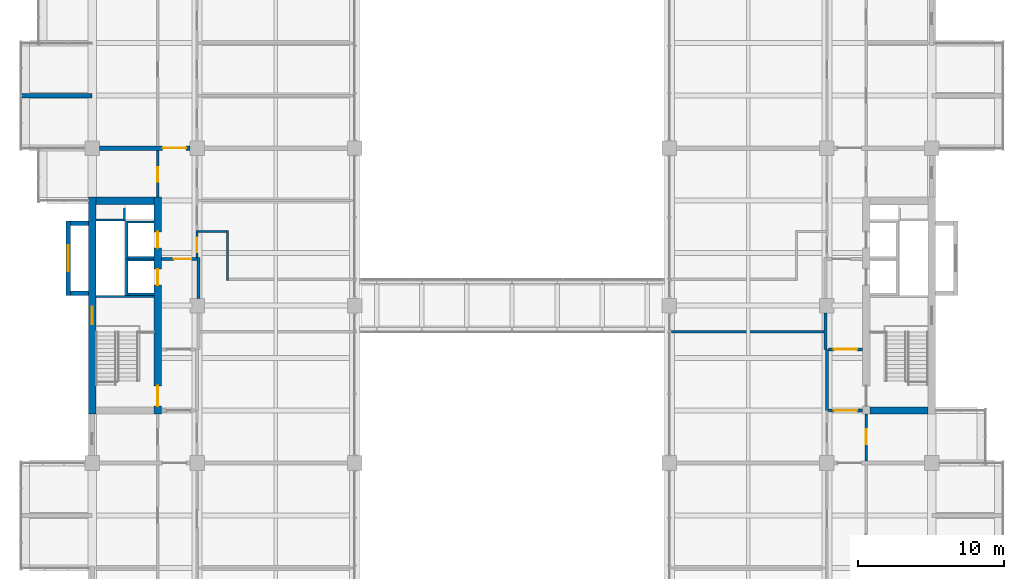
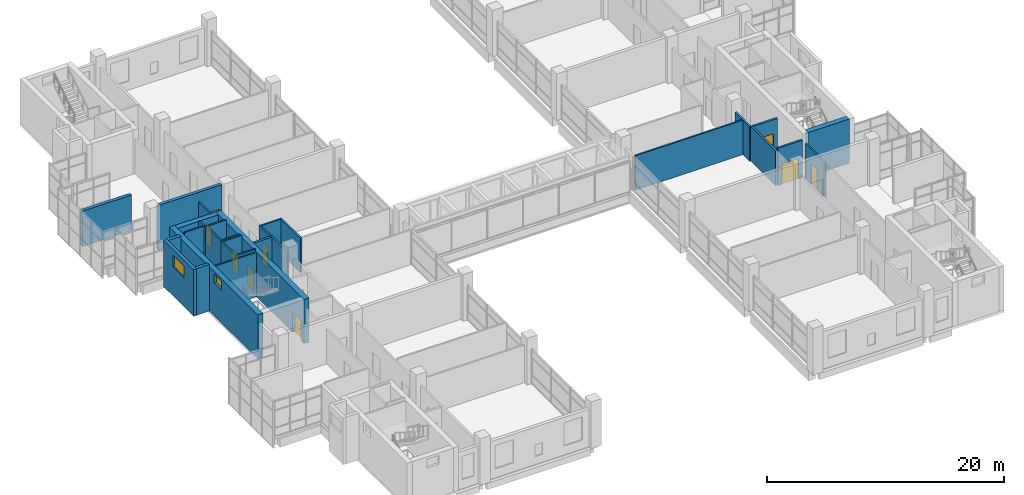
# One storey, part 28 of 35: 30 walls, 10 doors, 2 windows, 12 openings.
"""IFC4 building model written with IfcOpenShell, lengths in metres."""

import ifcopenshell
import ifcopenshell.guid

model = None  # the IFC model being written
_history = None  # IfcOwnerHistory: only IFC2X3 demands one
_inside = {}  # id of a spatial element -> (the spatial element, [elements in it])
_under = {}  # id of a project, library or spatial element -> (it, [spatial elements below it])
_declared = {}  # id of a project -> (the project, [libraries it declares])
_typed = {}  # id of a type object -> (the type object, [elements of that type])
_made_of = {}  # id of a material, layer set ... -> (it, [elements and type objects made of it])


def new_model(schema):
    """Start an empty IFC model of exactly this schema.

    Asked for "IFC4X3", IfcOpenShell would pick the latest addendum, in which some entities
    have other attributes; the version numbers below select the first issue.
    IFC2X3 requires an IfcOwnerHistory on every rooted entity: one is made here for all.
    """
    global model, _history
    if schema == "IFC4X3":
        model = ifcopenshell.file(schema_version=(4, 3, 0, 0))
    else:
        model = ifcopenshell.file(schema=schema)
    _inside.clear()
    _under.clear()
    _declared.clear()
    _typed.clear()
    _made_of.clear()
    _history = None
    if model.schema == "IFC2X3":
        org = make("IfcOrganization", Name="unknown")
        user = make(
            "IfcPersonAndOrganization",
            ThePerson=make("IfcPerson", FamilyName="unknown"),
            TheOrganization=org,
        )
        app = make(
            "IfcApplication",
            ApplicationDeveloper=org,
            Version="unknown",
            ApplicationFullName="unknown",
            ApplicationIdentifier="unknown",
        )
        _history = make(
            "IfcOwnerHistory",
            OwningUser=user,
            OwningApplication=app,
            ChangeAction="ADDED",
            CreationDate=0,
        )
    return model


def make(cls, **values):
    """One entity of the class cls with the attributes given. An attribute that is None is left unset."""
    return model.create_entity(
        cls, **{name: value for name, value in values.items() if value is not None}
    )


def rooted(cls, **values):
    """An entity with a GlobalId (a new one), such as an element, a storey or a relation."""
    return make(cls, GlobalId=ifcopenshell.guid.new(), OwnerHistory=_history, **values)


def si_unit(unit_type, name, prefix=None):
    """IfcSIUnit, for example si_unit("LENGTHUNIT", "METRE", prefix="MILLI")."""
    return make("IfcSIUnit", UnitType=unit_type, Prefix=prefix, Name=name)


def assignment(units):
    """IfcUnitAssignment: the units of a project."""
    return None if units is None else make("IfcUnitAssignment", Units=units)


def point(xyz):
    """IfcCartesianPoint."""
    return None if xyz is None else make("IfcCartesianPoint", Coordinates=xyz)


def direction(xyz):
    """IfcDirection."""
    return None if xyz is None else make("IfcDirection", DirectionRatios=xyz)


def frame(location, z_axis=None, x_axis=None):
    """IfcAxis2Placement3D, a coordinate frame: its origin and axes. An axis left out is left unset."""
    return make(
        "IfcAxis2Placement3D",
        Location=point(location),
        Axis=direction(z_axis),
        RefDirection=direction(x_axis),
    )


def frame_2d(location, x_axis=None):
    """IfcAxis2Placement2D, a coordinate frame in the plane: its origin and x axis."""
    return make(
        "IfcAxis2Placement2D", Location=point(location), RefDirection=direction(x_axis)
    )


def origin():
    """The frame at (0, 0, 0) with its axes left unset."""
    return frame((0.0, 0.0, 0.0))


def place(relative_to, where):
    """IfcLocalPlacement: puts the frame where relative to a parent placement (None: the world)."""
    return make(
        "IfcLocalPlacement", PlacementRelTo=relative_to, RelativePlacement=where
    )


def context(
    kind, dimensions, precision=None, world=None, true_north=None, identifier=None
):
    """IfcGeometricRepresentationContext, for example the 3D "Model" context."""
    return make(
        "IfcGeometricRepresentationContext",
        ContextIdentifier=identifier,
        ContextType=kind,
        CoordinateSpaceDimension=dimensions,
        Precision=precision,
        WorldCoordinateSystem=world,
        TrueNorth=true_north,
    )


def subcontext(parent, identifier, kind, view, scale=None):
    """IfcGeometricRepresentationSubContext, for example "Body" below "Model"."""
    return make(
        "IfcGeometricRepresentationSubContext",
        ContextIdentifier=identifier,
        ContextType=kind,
        ParentContext=parent,
        TargetScale=scale,
        TargetView=view,
    )


def project(units=None, contexts=None):
    """IfcProject with its units and contexts."""
    return rooted(
        "IfcProject",
        Name="project",
        RepresentationContexts=contexts,
        UnitsInContext=assignment(units),
    )


def spatial(cls, under=None, at=None, **own):
    """A site, building, storey or space (cls), placed at a placement, below another one or the project."""
    s = rooted(cls, ObjectPlacement=at, **own)
    if under is not None:
        _under.setdefault(under.id(), (under, []))[1].append(s)
    return s


def profile(cls, at=None, kind="AREA", **sizes):
    """A parametric profile (cls). Its sizes go by their IFC names, for example OverallWidth=200.0."""
    return make(cls, ProfileType=kind, Position=at, **sizes)


def rectangle(**sizes):
    """IfcRectangleProfileDef."""
    return profile("IfcRectangleProfileDef", **sizes)


def extrude(swept, where, along, depth):
    """IfcExtrudedAreaSolid: the profile swept, set in the frame where, extruded along a direction by depth."""
    return make(
        "IfcExtrudedAreaSolid",
        SweptArea=swept,
        Position=where,
        ExtrudedDirection=direction(along),
        Depth=depth,
    )


def shape(context_of_items, identifier, shape_type, items):
    """IfcShapeRepresentation: the items that make up one representation, for example the "Body"."""
    return make(
        "IfcShapeRepresentation",
        ContextOfItems=context_of_items,
        RepresentationIdentifier=identifier,
        RepresentationType=shape_type,
        Items=items,
    )


def material(Name=None, Category=None):
    """IfcMaterial."""
    return make("IfcMaterial", Name=Name, Category=Category)


def layer(
    of_material, thickness, ventilated=None, Name=None, Category=None, Priority=None
):
    """IfcMaterialLayer: one layer of a wall or slab, of a material (None: an air gap)."""
    return make(
        "IfcMaterialLayer",
        Material=of_material,
        LayerThickness=thickness,
        IsVentilated=ventilated,
        Name=Name,
        Category=Category,
        Priority=Priority,
    )


def layer_set(layers, Name=None):
    """IfcMaterialLayerSet."""
    return make("IfcMaterialLayerSet", MaterialLayers=layers, LayerSetName=Name)


def made_of(thing, what):
    """Note that an element or type object is made of a material, layer set ...; save() writes the relation."""
    if what is not None:
        _made_of.setdefault(what.id(), (what, []))[1].append(thing)
    return thing


def type_object(cls, material=None, **own):
    """A type object (cls), such as IfcWallType, which elements share."""
    return made_of(rooted(cls, **own), material)


def element(
    cls,
    number,
    at=None,
    inside=None,
    cuts=None,
    type_object=None,
    material=None,
    context=None,
    identifier="Body",
    shape_type=None,
    held_by="IfcProductDefinitionShape",
    body=None,
    shapes=None,
    **own,
):
    """One element of the class cls, such as IfcWall. Its Tag is "e" and its number.

    at: its placement. inside: the storey or other place that contains it. cuts: it is an
    opening in that element (IfcRelVoidsElement). A single representation is given by context,
    identifier, shape_type and body (its items); several are given by shapes. held_by: the class
    of the entity that holds the representations. save() writes the other relations.
    """
    e = rooted(cls, Tag="e%d" % number, ObjectPlacement=at, **own)
    if body is not None:
        shapes = [shape(context, identifier, shape_type, body)]
    if shapes is not None:
        e.Representation = make(held_by, Representations=shapes)
    if inside is not None:
        _inside.setdefault(inside.id(), (inside, []))[1].append(e)
    if cuts is not None:
        rooted(
            "IfcRelVoidsElement", RelatingBuildingElement=cuts, RelatedOpeningElement=e
        )
    if type_object is not None:
        _typed.setdefault(type_object.id(), (type_object, []))[1].append(e)
    return made_of(e, material)


def fill(opening, filler):
    """IfcRelFillsElement: the door or window that sits in an opening."""
    return rooted(
        "IfcRelFillsElement",
        RelatingOpeningElement=opening,
        RelatedBuildingElement=filler,
    )


def aggregate(whole, parts):
    """IfcRelAggregates: a whole, such as a stair, and the parts it consists of."""
    return rooted("IfcRelAggregates", RelatingObject=whole, RelatedObjects=parts)


def save(model, path):
    """Write the relations noted so far, then the file.

    IfcRelAggregates (storeys below a building ...), IfcRelContainedInSpatialStructure (elements
    in a storey), IfcRelDefinesByType, IfcRelAssociatesMaterial and IfcRelDeclares: one each for
    every whole, place, type object, material and project.
    """
    for whole, parts in _under.values():
        aggregate(whole, parts)
    for where, things in _inside.values():
        rooted(
            "IfcRelContainedInSpatialStructure",
            RelatedElements=things,
            RelatingStructure=where,
        )
    for kind, things in _typed.values():
        rooted("IfcRelDefinesByType", RelatedObjects=things, RelatingType=kind)
    for what, things in _made_of.values():
        rooted("IfcRelAssociatesMaterial", RelatedObjects=things, RelatingMaterial=what)
    for by, libraries in _declared.values():
        rooted("IfcRelDeclares", RelatingContext=by, RelatedDefinitions=libraries)
    model.write(path)


model = new_model("IFC4")

# Units and contexts
model_context = context("Model", 3, precision=1e-05, world=origin(), true_north=direction((0.0, 1.0)))
body_context = subcontext(model_context, "Body", "Model", "MODEL_VIEW")
ifc_project = project(units=[si_unit("LENGTHUNIT", "METRE"), si_unit("AREAUNIT", "SQUARE_METRE"), si_unit("VOLUMEUNIT", "CUBIC_METRE"), si_unit("PLANEANGLEUNIT", "RADIAN"), si_unit("MASSUNIT", "GRAM", prefix="KILO")], contexts=[model_context])

# Site, building, storey
site_placement = place(None, origin())
site = spatial("IfcSite", under=ifc_project, at=site_placement, CompositionType="ELEMENT")
building_placement = place(site_placement, origin())
building = spatial("IfcBuilding", under=site, at=building_placement, Name="Basin Gate Institute", CompositionType="ELEMENT")
storey_placement = place(building_placement, frame((0.0, 0.0, 31.800048828125)))
storey = spatial("IfcBuildingStorey", under=building, at=storey_placement, Name="L06", CompositionType="ELEMENT", Elevation=31.800048828125)

# Wall
ifc_material_1 = material(Name="Aluminium-faced insulated panel wall", Category="aluminium")
ifc_layer_1 = layer(ifc_material_1, 0.300048828125)
ifc_layer_set_1 = layer_set([ifc_layer_1], Name="Capsule side wall EW2 EI 120")
wall_type_1 = type_object("IfcWallType", Name="Capsule side wall EW2 EI 120", PredefinedType="STANDARD", material=ifc_layer_set_1)
wall_1_placement = place(storey_placement, frame((56.39990234375, 81.89990234375, 0.0), z_axis=(0.0, 0.0, 1.0), x_axis=(1.0, 0.0, 0.0)))
element("IfcWall", 1, at=wall_1_placement, inside=storey, type_object=wall_type_1, material=ifc_layer_set_1, Name="Capsule side wall W wing L06 line 14", PredefinedType="STANDARD", context=body_context, shape_type="SweptSolid", body=[
    extrude(rectangle(XDim=4.800048828125, YDim=0.300048828125, at=frame_2d((2.39990234375, 0.0))), origin(), (0.0, 0.0, 1.0), 3.64990234375),
])

# Wall, opening, door
ifc_material_2 = material(Name="Fire-rated masonry", Category="masonry")
ifc_layer_2 = layer(ifc_material_2, 0.199951171875)
ifc_layer_set_2 = layer_set([ifc_layer_2], Name="Enclosure wall PW2 200 EI 60")
wall_type_2 = type_object("IfcWallType", Name="Enclosure wall PW2 200 EI 60", PredefinedType="PARTITIONING", material=ifc_layer_set_2)
wall_2_placement = place(storey_placement, frame((65.949951171875, 70.699951171875, 0.0), z_axis=(0.0, 0.0, 1.0), x_axis=(1.0, 0.0, 0.0)))
wall_2 = element("IfcWall", 2, at=wall_2_placement, inside=storey, type_object=wall_type_2, material=ifc_layer_set_2, Name="Emergency lift lobby wall PW2 L06", PredefinedType="PARTITIONING", context=body_context, shape_type="SweptSolid", body=[
    extrude(rectangle(XDim=2.449951171875, YDim=0.199951171875, at=frame_2d((1.22509765625, 0.0))), origin(), (0.0, 0.0, 1.0), 3.550048828125),
])
opening_1_placement = place(wall_2_placement, frame((0.85009765625, 0.0, 0.0)))
opening_1 = element("IfcOpeningElement", 3, at=opening_1_placement, cuts=wall_2, Name="Opening DR318", PredefinedType="OPENING", context=body_context, shape_type="SweptSolid", body=[
    extrude(rectangle(XDim=1.199951171875, YDim=2.10009765625, at=frame_2d((0.60009765625, 1.050048828125))), frame((0.0, 0.10986328125, 0.0), z_axis=(0.0, -1.0, 0.0), x_axis=(1.0, 0.0, 0.0)), (0.0, 0.0, 1.0), 0.219970703125),
])
ifc_material_3 = material(Name="Steel fire door", Category="steel")
door_type_1 = type_object("IfcDoorType", Name="FD60 Emergency lift lobby door D9", OperationType="NOTDEFINED", PredefinedType="DOOR", material=ifc_material_3)
door_1_placement = place(opening_1_placement, frame((1.199951171875, 0.0, 0.0), z_axis=(0.0, 0.0, 1.0), x_axis=(-1.0, 0.0, 0.0)))
door_1 = element("IfcDoor", 4, at=door_1_placement, inside=storey, type_object=door_type_1, material=ifc_material_3, Name="Emergency lift lobby door LF1 L06", OperationType="SINGLE_SWING_LEFT", OverallHeight=2.10009765625, OverallWidth=1.199951171875, PredefinedType="DOOR", context=body_context, shape_type="SweptSolid", body=[
    extrude(rectangle(XDim=1.199951171875, YDim=2.10009765625, at=frame_2d((0.60009765625, 1.050048828125))), frame((0.0, 0.02490234375, 0.0), z_axis=(0.0, -1.0, 0.0), x_axis=(1.0, 0.0, 0.0)), (0.0, 0.0, 1.0), 0.050048828125),
])
fill(opening_1, door_1)

# Wall
wall_3_placement = place(storey_placement, frame((68.5, 68.0, 0.0), z_axis=(0.0, 0.0, 1.0), x_axis=(0.0, 1.0, 0.0)))
element("IfcWall", 5, at=wall_3_placement, inside=storey, type_object=wall_type_2, material=ifc_layer_set_2, Name="Emergency lift lobby wall PW2 L06", PredefinedType="PARTITIONING", context=body_context, shape_type="SweptSolid", body=[
    extrude(rectangle(XDim=2.800048828125, YDim=0.199951171875, at=frame_2d((1.39990234375, 0.0))), origin(), (0.0, 0.0, 1.0), 3.550048828125),
])

# Wall, opening, door
wall_4_placement = place(storey_placement, frame((114.050048828125, 60.300048828125, 0.0), z_axis=(0.0, 0.0, 1.0), x_axis=(-1.0, 0.0, 0.0)))
wall_4 = element("IfcWall", 6, at=wall_4_placement, inside=storey, type_object=wall_type_2, material=ifc_layer_set_2, Name="Smoke lobby enclosure wall PW2 L06", PredefinedType="PARTITIONING", context=body_context, shape_type="SweptSolid", body=[
    extrude(rectangle(XDim=2.35009765625, YDim=0.199951171875, at=frame_2d((1.175048828125, 0.0))), origin(), (0.0, 0.0, 1.0), 3.849853515625),
])
opening_2_placement = place(wall_4_placement, frame((0.375, 0.0, 0.0)))
opening_2 = element("IfcOpeningElement", 7, at=opening_2_placement, cuts=wall_4, Name="Opening DR297", PredefinedType="OPENING", context=body_context, shape_type="SweptSolid", body=[
    extrude(rectangle(XDim=1.60009765625, YDim=2.10009765625, at=frame_2d((0.800048828125, 1.050048828125))), frame((0.0, 0.10986328125, 0.0), z_axis=(0.0, -1.0, 0.0), x_axis=(1.0, 0.0, 0.0)), (0.0, 0.0, 1.0), 0.219970703125),
])
ifc_material_4 = material(Name="Steel fire door", Category="steel")
door_type_2 = type_object("IfcDoorType", Name="FD60 Smoke lobby door pair D8", OperationType="DOUBLE_DOOR_SINGLE_SWING", PredefinedType="DOOR", material=ifc_material_4)
door_2_placement = place(opening_2_placement, frame((1.60009765625, 0.0, 0.0), z_axis=(0.0, 0.0, 1.0), x_axis=(-1.0, 0.0, 0.0)))
door_2 = element("IfcDoor", 8, at=door_2_placement, inside=storey, type_object=door_type_2, material=ifc_material_4, Name="Smoke lobby door SS5 L06", OperationType="DOUBLE_DOOR_SINGLE_SWING", OverallHeight=2.10009765625, OverallWidth=1.60009765625, PredefinedType="DOOR", context=body_context, shape_type="SweptSolid", body=[
    extrude(rectangle(XDim=1.60009765625, YDim=2.10009765625, at=frame_2d((0.800048828125, 1.050048828125))), frame((0.0, 0.02490234375, 0.0), z_axis=(0.0, -1.0, 0.0), x_axis=(1.0, 0.0, 0.0)), (0.0, 0.0, 1.0), 0.050048828125),
])
fill(opening_2, door_2)

wall_5_placement = place(storey_placement, frame((114.050048828125, 64.5, 0.0), z_axis=(0.0, 0.0, 1.0), x_axis=(-1.0, 0.0, 0.0)))
wall_5 = element("IfcWall", 9, at=wall_5_placement, inside=storey, type_object=wall_type_2, material=ifc_layer_set_2, Name="Smoke lobby enclosure wall PW2 L06", PredefinedType="PARTITIONING", context=body_context, shape_type="SweptSolid", body=[
    extrude(rectangle(XDim=2.35009765625, YDim=0.199951171875, at=frame_2d((1.175048828125, 0.0))), origin(), (0.0, 0.0, 1.0), 3.550048828125),
])
opening_3_placement = place(wall_5_placement, frame((0.375, 0.0, 0.0)))
opening_3 = element("IfcOpeningElement", 10, at=opening_3_placement, cuts=wall_5, Name="Opening DR298", PredefinedType="OPENING", context=body_context, shape_type="SweptSolid", body=[
    extrude(rectangle(XDim=1.60009765625, YDim=2.10009765625, at=frame_2d((0.800048828125, 1.050048828125))), frame((0.0, 0.10986328125, 0.0), z_axis=(0.0, -1.0, 0.0), x_axis=(1.0, 0.0, 0.0)), (0.0, 0.0, 1.0), 0.219970703125),
])
door_3_placement = place(opening_3_placement, origin())
door_3 = element("IfcDoor", 11, at=door_3_placement, inside=storey, type_object=door_type_2, material=ifc_material_4, Name="Smoke lobby door SS5 L06", OperationType="DOUBLE_DOOR_SINGLE_SWING", OverallHeight=2.10009765625, OverallWidth=1.60009765625, PredefinedType="DOOR", context=body_context, shape_type="SweptSolid", body=[
    extrude(rectangle(XDim=1.60009765625, YDim=2.10009765625, at=frame_2d((0.800048828125, 1.050048828125))), frame((0.0, 0.02490234375, 0.0), z_axis=(0.0, -1.0, 0.0), x_axis=(1.0, 0.0, 0.0)), (0.0, 0.0, 1.0), 0.050048828125),
])
fill(opening_3, door_3)

# Walls
wall_6_placement = place(storey_placement, frame((111.60009765625, 60.300048828125, 0.0), z_axis=(0.0, 0.0, 1.0), x_axis=(0.0, 1.0, 0.0)))
element("IfcWall", 12, at=wall_6_placement, inside=storey, type_object=wall_type_2, material=ifc_layer_set_2, Name="Smoke lobby enclosure wall PW2 L06", PredefinedType="PARTITIONING", context=body_context, shape_type="SweptSolid", body=[
    extrude(rectangle(XDim=4.199951171875, YDim=0.199951171875, at=frame_2d((2.10009765625, 0.0))), origin(), (0.0, 0.0, 1.0), 3.550048828125),
])
wall_7_placement = place(storey_placement, frame((111.5, 64.5, 0.0), z_axis=(0.0, 0.0, 1.0), x_axis=(0.0, 1.0, 0.0)))
element("IfcWall", 13, at=wall_7_placement, inside=storey, type_object=wall_type_2, material=ifc_layer_set_2, Name="Emergency lift lobby wall PW2 L06", PredefinedType="PARTITIONING", context=body_context, shape_type="SweptSolid", body=[
    extrude(rectangle(XDim=2.5, YDim=0.199951171875, at=frame_2d((1.25, 0.0))), origin(), (0.0, 0.0, 1.0), 3.550048828125),
])

# Wall, opening, door
ifc_material_5 = material(Name="Gypsum board on steel stud", Category="steel")
ifc_layer_3 = layer(ifc_material_5, 0.14990234375)
ifc_layer_set_3 = layer_set([ifc_layer_3], Name="Gypsum board on steel stud")
wall_type_3 = type_object("IfcWallType", Name="Partition PW1 150 EI 60", PredefinedType="PARTITIONING", material=ifc_layer_set_3)
wall_8_placement = place(storey_placement, frame((65.699951171875, 74.949951171875, 0.0), z_axis=(0.0, 0.0, 1.0), x_axis=(0.0, 1.0, 0.0)))
wall_8 = element("IfcWall", 14, at=wall_8_placement, inside=storey, type_object=wall_type_3, material=ifc_layer_set_3, Name="Corridor wall PW1 L06", PredefinedType="PARTITIONING", context=body_context, shape_type="SweptSolid", body=[
    extrude(rectangle(XDim=3.199951171875, YDim=0.14990234375, at=frame_2d((1.60009765625, 0.0))), origin(), (0.0, 0.0, 1.0), 3.550048828125),
])
opening_4_placement = place(wall_8_placement, frame((1.050048828125, 0.0, 0.0)))
opening_4 = element("IfcOpeningElement", 15, at=opening_4_placement, cuts=wall_8, Name="Opening DR310", PredefinedType="OPENING", context=body_context, shape_type="SweptSolid", body=[
    extrude(rectangle(XDim=1.0, YDim=2.10009765625, at=frame_2d((0.5, 1.050048828125))), frame((0.0, 0.0849609375, 0.0), z_axis=(0.0, -1.0, 0.0), x_axis=(1.0, 0.0, 0.0)), (0.0, 0.0, 1.0), 0.169921875),
])
ifc_material_6 = material(Name="Timber fire door", Category="wood")
door_type_3 = type_object("IfcDoorType", Name="FD30 Office door D1", OperationType="NOTDEFINED", PredefinedType="DOOR", material=ifc_material_6)
door_4_placement = place(opening_4_placement, origin())
door_4 = element("IfcDoor", 16, at=door_4_placement, inside=storey, type_object=door_type_3, material=ifc_material_6, Name="Door to Seminar Room 0604 L06", OperationType="SINGLE_SWING_LEFT", OverallHeight=2.10009765625, OverallWidth=1.0, PredefinedType="DOOR", context=body_context, shape_type="SweptSolid", body=[
    extrude(rectangle(XDim=1.0, YDim=2.10009765625, at=frame_2d((0.5, 1.050048828125))), frame((0.0, 0.02490234375, 0.0), z_axis=(0.0, -1.0, 0.0), x_axis=(1.0, 0.0, 0.0)), (0.0, 0.0, 1.0), 0.050048828125),
])
fill(opening_4, door_4)

wall_9_placement = place(storey_placement, frame((68.39990234375, 70.800048828125, 0.0), z_axis=(0.0, 0.0, 1.0), x_axis=(0.0, 1.0, 0.0)))
wall_9 = element("IfcWall", 17, at=wall_9_placement, inside=storey, type_object=wall_type_3, material=ifc_layer_set_3, Name="Laboratory corridor wall PW1 L06", PredefinedType="PARTITIONING", context=body_context, shape_type="SweptSolid", body=[
    extrude(rectangle(XDim=1.849853515625, YDim=0.14990234375, at=frame_2d((0.9248046875, 0.0))), origin(), (0.0, 0.0, 1.0), 3.550048828125),
])
opening_5_placement = place(wall_9_placement, frame((0.35009765625, 0.0, 0.0)))
opening_5 = element("IfcOpeningElement", 18, at=opening_5_placement, cuts=wall_9, Name="Opening DR317", PredefinedType="OPENING", context=body_context, shape_type="SweptSolid", body=[
    extrude(rectangle(XDim=1.0, YDim=2.10009765625, at=frame_2d((0.5, 1.050048828125))), frame((0.0, 0.0849609375, 0.0), z_axis=(0.0, -1.0, 0.0), x_axis=(1.0, 0.0, 0.0)), (0.0, 0.0, 1.0), 0.169921875),
])
ifc_material_7 = material(Name="Steel fire door", Category="steel")
door_type_4 = type_object("IfcDoorType", Name="FD30 Cross corridor door D13", OperationType="NOTDEFINED", PredefinedType="DOOR", material=ifc_material_7)
door_5_placement = place(opening_5_placement, frame((1.0, 0.0, 0.0), z_axis=(0.0, 0.0, 1.0), x_axis=(-1.0, 0.0, 0.0)))
door_5 = element("IfcDoor", 19, at=door_5_placement, inside=storey, type_object=door_type_4, material=ifc_material_7, Name="Door to cross corridor L06", OperationType="SINGLE_SWING_RIGHT", OverallHeight=2.10009765625, OverallWidth=1.0, PredefinedType="DOOR", context=body_context, shape_type="SweptSolid", body=[
    extrude(rectangle(XDim=1.0, YDim=2.10009765625, at=frame_2d((0.5, 1.050048828125))), frame((0.0, 0.02490234375, 0.0), z_axis=(0.0, -1.0, 0.0), x_axis=(1.0, 0.0, 0.0)), (0.0, 0.0, 1.0), 0.050048828125),
])
fill(opening_5, door_5)

# Walls
wall_10_placement = place(storey_placement, frame((70.47509765625, 69.22509765625, 0.0), z_axis=(0.0, 0.0, 1.0), x_axis=(0.0, 1.0, 0.0)))
element("IfcWall", 20, at=wall_10_placement, inside=storey, type_object=wall_type_3, material=ifc_layer_set_3, Name="Cross corridor wall PW1 L06", PredefinedType="PARTITIONING", context=body_context, shape_type="SweptSolid", body=[
    extrude(rectangle(XDim=3.4248046875, YDim=0.14990234375, at=frame_2d((1.71240234375, 0.0))), origin(), (0.0, 0.0, 1.0), 3.550048828125),
])
wall_11_placement = place(storey_placement, frame((68.47509765625, 72.574951171875, 0.0), z_axis=(0.0, 0.0, 1.0), x_axis=(1.0, 0.0, 0.0)))
element("IfcWall", 21, at=wall_11_placement, inside=storey, type_object=wall_type_3, material=ifc_layer_set_3, Name="Cross corridor wall PW1 L06", PredefinedType="PARTITIONING", context=body_context, shape_type="SweptSolid", body=[
    extrude(rectangle(XDim=1.9248046875, YDim=0.14990234375, at=frame_2d((0.96240234375, 0.0))), origin(), (0.0, 0.0, 1.0), 3.550048828125),
])

# Wall, opening, door
wall_12_placement = place(storey_placement, frame((114.300048828125, 56.85009765625, 0.0), z_axis=(0.0, 0.0, 1.0), x_axis=(0.0, 1.0, 0.0)))
wall_12 = element("IfcWall", 22, at=wall_12_placement, inside=storey, type_object=wall_type_3, material=ifc_layer_set_3, Name="Corridor wall PW1 L06", PredefinedType="PARTITIONING", context=body_context, shape_type="SweptSolid", body=[
    extrude(rectangle(XDim=3.199951171875, YDim=0.14990234375, at=frame_2d((1.60009765625, 0.0))), origin(), (0.0, 0.0, 1.0), 3.550048828125),
])
opening_6_placement = place(wall_12_placement, frame((1.14990234375, 0.0, 0.0)))
opening_6 = element("IfcOpeningElement", 23, at=opening_6_placement, cuts=wall_12, Name="Opening DR285", PredefinedType="OPENING", context=body_context, shape_type="SweptSolid", body=[
    extrude(rectangle(XDim=1.0, YDim=2.10009765625, at=frame_2d((0.5, 1.050048828125))), frame((0.0, 0.0849609375, 0.0), z_axis=(0.0, -1.0, 0.0), x_axis=(1.0, 0.0, 0.0)), (0.0, 0.0, 1.0), 0.169921875),
])
door_6_placement = place(opening_6_placement, frame((1.0, 0.0, 0.0), z_axis=(0.0, 0.0, 1.0), x_axis=(-1.0, 0.0, 0.0)))
door_6 = element("IfcDoor", 24, at=door_6_placement, inside=storey, type_object=door_type_3, material=ifc_material_6, Name="Door to Meeting Room 0652 L06", OperationType="SINGLE_SWING_LEFT", OverallHeight=2.10009765625, OverallWidth=1.0, PredefinedType="DOOR", context=body_context, shape_type="SweptSolid", body=[
    extrude(rectangle(XDim=1.0, YDim=2.10009765625, at=frame_2d((0.5, 1.050048828125))), frame((0.0, 0.02490234375, 0.0), z_axis=(0.0, -1.0, 0.0), x_axis=(1.0, 0.0, 0.0)), (0.0, 0.0, 1.0), 0.050048828125),
])
fill(opening_6, door_6)

# Walls
wall_13_placement = place(storey_placement, frame((111.39990234375, 65.699951171875, 0.0), z_axis=(0.0, 0.0, 1.0), x_axis=(-1.0, 0.0, 0.0)))
element("IfcWall", 25, at=wall_13_placement, inside=storey, type_object=wall_type_3, material=ifc_layer_set_3, Name="Cross corridor wall PW1 L06", PredefinedType="PARTITIONING", context=body_context, shape_type="SweptSolid", body=[
    extrude(rectangle(XDim=10.449951171875, YDim=0.14990234375, at=frame_2d((5.22509765625, 0.0))), origin(), (0.0, 0.0, 1.0), 3.550048828125),
])
ifc_material_8 = material(Name="Concrete 40 MPa", Category="concrete")
ifc_layer_4 = layer(ifc_material_8, 0.14990234375)
ifc_layer_set_4 = layer_set([ifc_layer_4], Name="Concrete 40 MPa")
wall_type_4 = type_object("IfcWallType", Name="Wall LS1 lift shaft enclosure R120", PredefinedType="SOLIDWALL", material=ifc_layer_set_4)
wall_14_placement = place(storey_placement, frame((63.574951171875, 68.199951171875, 0.0), z_axis=(0.0, 0.0, 1.0), x_axis=(0.0, 1.0, 0.0)))
element("IfcWall", 26, at=wall_14_placement, inside=storey, type_object=wall_type_4, material=ifc_layer_set_4, Name="Lift shaft enclosure LF1 L06 UL", PredefinedType="SOLIDWALL", context=body_context, shape_type="SweptSolid", body=[
    extrude(rectangle(XDim=2.5, YDim=0.14990234375, at=frame_2d((1.25, 0.0))), origin(), (0.0, 0.0, 1.0), 4.800048828125),
])
for number, where, z_axis, x_axis, name in (
    (27, (63.64990234375, 68.27490234375, 0.0), (0.0, 0.0, 1.0), (1.0, 0.0, 0.0), "Lift shaft enclosure LF1 L06 RL"),
    (28, (63.64990234375, 70.625, 0.0), (0.0, 0.0, 1.0), (1.0, 0.0, 0.0), "Lift shaft enclosure LF1 L06 RH"),
):
    element("IfcWall", number, at=place(storey_placement, frame(where, z_axis=z_axis, x_axis=x_axis)), inside=storey, type_object=wall_type_4, material=ifc_layer_set_4, Name=name, PredefinedType="SOLIDWALL", context=body_context, shape_type="SweptSolid", body=[
        extrude(rectangle(XDim=1.800048828125, YDim=0.14990234375, at=frame_2d((0.89990234375, 0.0))), origin(), (0.0, 0.0, 1.0), 4.800048828125),
    ])
wall_15_placement = place(storey_placement, frame((63.574951171875, 70.699951171875, 0.0), z_axis=(0.0, 0.0, 1.0), x_axis=(0.0, 1.0, 0.0)))
element("IfcWall", 29, at=wall_15_placement, inside=storey, type_object=wall_type_4, material=ifc_layer_set_4, Name="Lift shaft enclosure LP2 L06 UL", PredefinedType="SOLIDWALL", context=body_context, shape_type="SweptSolid", body=[
    extrude(rectangle(XDim=2.60009765625, YDim=0.14990234375, at=frame_2d((1.300048828125, 0.0))), origin(), (0.0, 0.0, 1.0), 4.800048828125),
])
for number, where, z_axis, x_axis, name in (
    (30, (63.64990234375, 70.77490234375, 0.0), (0.0, 0.0, 1.0), (1.0, 0.0, 0.0), "Lift shaft enclosure LP2 L06 RL"),
    (31, (63.64990234375, 73.22509765625, 0.0), (0.0, 0.0, 1.0), (1.0, 0.0, 0.0), "Lift shaft enclosure LP2 L06 RH"),
):
    element("IfcWall", number, at=place(storey_placement, frame(where, z_axis=z_axis, x_axis=x_axis)), inside=storey, type_object=wall_type_4, material=ifc_layer_set_4, Name=name, PredefinedType="SOLIDWALL", context=body_context, shape_type="SweptSolid", body=[
        extrude(rectangle(XDim=1.800048828125, YDim=0.14990234375, at=frame_2d((0.89990234375, 0.0))), origin(), (0.0, 0.0, 1.0), 4.800048828125),
    ])
ifc_material_9 = material(Name="Concrete 40 MPa", Category="concrete")
ifc_layer_5 = layer(ifc_material_9, 0.14990234375)
ifc_layer_set_5 = layer_set([ifc_layer_5], Name="Concrete 40 MPa")
wall_type_5 = type_object("IfcWallType", Name="Wall RS1 riser shaft enclosure R120", PredefinedType="SOLIDWALL", material=ifc_layer_set_5)
wall_16_placement = place(storey_placement, frame((61.449951171875, 73.375, 0.0), z_axis=(0.0, 0.0, 1.0), x_axis=(1.0, 0.0, 0.0)))
element("IfcWall", 32, at=wall_16_placement, inside=storey, type_object=wall_type_5, material=ifc_layer_set_5, Name="Riser shaft enclosure WM L06 N", PredefinedType="SOLIDWALL", context=body_context, shape_type="SweptSolid", body=[
    extrude(rectangle(XDim=1.900146484375, YDim=0.14990234375, at=frame_2d((0.9501953125, 0.0))), origin(), (0.0, 0.0, 1.0), 4.800048828125),
])
wall_17_placement = place(storey_placement, frame((63.425048828125, 73.300048828125, 0.0), z_axis=(0.0, 0.0, 1.0), x_axis=(0.0, 1.0, 0.0)))
element("IfcWall", 33, at=wall_17_placement, inside=storey, type_object=wall_type_5, material=ifc_layer_set_5, Name="Riser shaft enclosure WM L06 W", PredefinedType="SOLIDWALL", context=body_context, shape_type="SweptSolid", body=[
    extrude(rectangle(XDim=0.89990234375, YDim=0.14990234375, at=frame_2d((0.449951171875, 0.0))), origin(), (0.0, 0.0, 1.0), 4.800048828125),
])
ifc_material_10 = material(Name="Concrete 40 MPa", Category="concrete")
ifc_layer_6 = layer(ifc_material_10, 0.14990234375)
ifc_layer_set_6 = layer_set([ifc_layer_6], Name="Concrete 40 MPa")
wall_type_6 = type_object("IfcWallType", Name="Wall SE1 stair enclosure R120", PredefinedType="SOLIDWALL", material=ifc_layer_set_6)
wall_18_placement = place(storey_placement, frame((61.449951171875, 68.125, 0.0), z_axis=(0.0, 0.0, 1.0), x_axis=(1.0, 0.0, 0.0)))
element("IfcWall", 34, at=wall_18_placement, inside=storey, type_object=wall_type_6, material=ifc_layer_set_6, Name="Stair enclosure wall ST-WM L06", PredefinedType="SOLIDWALL", context=body_context, shape_type="SweptSolid", body=[
    extrude(rectangle(XDim=4.0, YDim=0.14990234375, at=frame_2d((2.0, 0.0))), origin(), (0.0, 0.0, 1.0), 4.550048828125),
])

# Wall, opening, window
ifc_material_11 = material(Name="Concrete 50 MPa", Category="concrete")
ifc_layer_7 = layer(ifc_material_11, 0.300048828125)
ifc_layer_set_7 = layer_set([ifc_layer_7], Name="Concrete 50 MPa")
wall_type_7 = type_object("IfcWallType", Name="Wall SK1 R120", PredefinedType="SHEAR", material=ifc_layer_set_7)
wall_19_placement = place(storey_placement, frame((59.550048828125, 68.199951171875, 0.0), z_axis=(0.0, 0.0, 1.0), x_axis=(0.0, 1.0, 0.0)))
wall_19 = element("IfcWall", 35, at=wall_19_placement, inside=storey, type_object=wall_type_7, material=ifc_layer_set_7, Name="Spine riser stack wall SK1 WM F L06", PredefinedType="SHEAR", context=body_context, shape_type="SweptSolid", body=[
    extrude(rectangle(XDim=5.10009765625, YDim=0.300048828125, at=frame_2d((2.550048828125, 0.0))), origin(), (0.0, 0.0, 1.0), 4.800048828125),
])
opening_7_placement = place(wall_19_placement, frame((1.64990234375, 0.0, 3.0)))
opening_7 = element("IfcOpeningElement", 36, at=opening_7_placement, cuts=wall_19, Name="Opening WL2", PredefinedType="OPENING", context=body_context, shape_type="SweptSolid", body=[
    extrude(rectangle(XDim=1.800048828125, YDim=1.199951171875, at=frame_2d((0.89990234375, 0.60009765625))), frame((0.0, 0.16015625, 0.0), z_axis=(0.0, -1.0, 0.0), x_axis=(1.0, 0.0, 0.0)), (0.0, 0.0, 1.0), 0.320068359375),
])
ifc_material_12 = material(Name="Aluminium louvre blades with fire damper", Category="aluminium")
window_type_1 = type_object("IfcWindowType", Name="Riser louvre EI 120 WL2", PartitioningType="SINGLE_PANEL", PredefinedType="WINDOW", material=ifc_material_12)
window_1_placement = place(opening_7_placement, origin())
window_1 = element("IfcWindow", 37, at=window_1_placement, inside=storey, type_object=window_type_1, material=ifc_material_12, Name="Riser louvre EI 120 WM riser 1 L06", OverallHeight=1.199951171875, OverallWidth=1.800048828125, PartitioningType="SINGLE_PANEL", PredefinedType="WINDOW", context=body_context, shape_type="SweptSolid", body=[
    extrude(rectangle(XDim=1.800048828125, YDim=1.199951171875, at=frame_2d((0.89990234375, 0.60009765625))), frame((0.0, 0.030029296875, 0.0), z_axis=(0.0, -1.0, 0.0), x_axis=(1.0, 0.0, 0.0)), (0.0, 0.0, 1.0), 0.06005859375),
])
fill(opening_7, window_1)

# Walls
for number, where, z_axis, x_axis, name in (
    (38, (60.949951171875, 68.35009765625, 0.0), (0.0, 0.0, 1.0), (-1.0, 0.0, 0.0), "Spine riser stack wall SK1 WM A L06"),
    (39, (60.949951171875, 73.14990234375, 0.0), (0.0, 0.0, 1.0), (-1.0, 0.0, 0.0), "Spine riser stack wall SK1 WM B L06"),
):
    element("IfcWall", number, at=place(storey_placement, frame(where, z_axis=z_axis, x_axis=x_axis)), inside=storey, type_object=wall_type_7, material=ifc_layer_set_7, Name=name, PredefinedType="SHEAR", context=body_context, shape_type="SweptSolid", body=[
        extrude(rectangle(XDim=1.25, YDim=0.300048828125, at=frame_2d((0.625, 0.0))), origin(), (0.0, 0.0, 1.0), 4.800048828125),
    ])

# Wall, opening, window
ifc_material_13 = material(Name="Concrete 60 MPa", Category="concrete")
ifc_layer_8 = layer(ifc_material_13, 0.5)
ifc_layer_set_8 = layer_set([ifc_layer_8], Name="Concrete 60 MPa")
wall_type_8 = type_object("IfcWallType", Name="Wall SW1 R120", PredefinedType="SHEAR", material=ifc_layer_set_8)
wall_20_placement = place(storey_placement, frame((61.199951171875, 60.050048828125, 0.0), z_axis=(0.0, 0.0, 1.0), x_axis=(0.0, 1.0, 0.0)))
wall_20 = element("IfcWall", 40, at=wall_20_placement, inside=storey, type_object=wall_type_8, material=ifc_layer_set_8, Name="WALL/L06/WM/L", PredefinedType="SHEAR", context=body_context, shape_type="SweptSolid", body=[
    extrude(rectangle(XDim=14.89990234375, YDim=0.5, at=frame_2d((7.449951171875, 0.0))), origin(), (0.0, 0.0, 1.0), 4.550048828125),
])
opening_8_placement = place(wall_20_placement, frame((6.159912109375, 0.0, 3.39990234375)))
opening_8 = element("IfcOpeningElement", 41, at=opening_8_placement, cuts=wall_20, Name="Opening WT2", PredefinedType="OPENING", context=body_context, shape_type="SweptSolid", body=[
    extrude(rectangle(XDim=1.199951171875, YDim=0.89990234375, at=frame_2d((0.60009765625, 0.449951171875))), frame((0.0, 0.260009765625, 0.0), z_axis=(0.0, -1.0, 0.0), x_axis=(1.0, 0.0, 0.0)), (0.0, 0.0, 1.0), 0.52001953125),
])
ifc_material_14 = material(Name="Fire-resistant glazing in steel-free frame", Category="steel")
window_type_2 = type_object("IfcWindowType", Name="Rated stair window EI 120 WT2", PartitioningType="SINGLE_PANEL", PredefinedType="WINDOW", material=ifc_material_14)
window_2_placement = place(opening_8_placement, origin())
window_2 = element("IfcWindow", 42, at=window_2_placement, inside=storey, type_object=window_type_2, material=ifc_material_14, Name="Rated stair window EI 120 WM landing L06", OverallHeight=0.89990234375, OverallWidth=1.199951171875, PartitioningType="SINGLE_PANEL", PredefinedType="WINDOW", context=body_context, shape_type="SweptSolid", body=[
    extrude(rectangle(XDim=1.199951171875, YDim=0.89990234375, at=frame_2d((0.60009765625, 0.449951171875))), frame((0.0, 0.030029296875, 0.0), z_axis=(0.0, -1.0, 0.0), x_axis=(1.0, 0.0, 0.0)), (0.0, 0.0, 1.0), 0.06005859375),
])
fill(opening_8, window_2)

# Wall, openings, doors
wall_21_placement = place(storey_placement, frame((65.699951171875, 60.050048828125, 0.0), z_axis=(0.0, 0.0, 1.0), x_axis=(0.0, 1.0, 0.0)))
wall_21 = element("IfcWall", 43, at=wall_21_placement, inside=storey, type_object=wall_type_8, material=ifc_layer_set_8, Name="WALL/L06/WM/C", PredefinedType="SHEAR", context=body_context, shape_type="SweptSolid", body=[
    extrude(rectangle(XDim=14.89990234375, YDim=0.5, at=frame_2d((7.449951171875, 0.0))), origin(), (0.0, 0.0, 1.0), 4.550048828125),
])
opening_9_placement = place(wall_21_placement, frame((0.550048828125, 0.0, 0.0)))
opening_9 = element("IfcOpeningElement", 44, at=opening_9_placement, cuts=wall_21, Name="Opening DS038", PredefinedType="OPENING", context=body_context, shape_type="SweptSolid", body=[
    extrude(rectangle(XDim=1.39990234375, YDim=2.10009765625, at=frame_2d((0.699951171875, 1.050048828125))), frame((0.0, 0.260009765625, 0.0), z_axis=(0.0, -1.0, 0.0), x_axis=(1.0, 0.0, 0.0)), (0.0, 0.0, 1.0), 0.52001953125),
])
opening_10_placement = place(wall_21_placement, frame((8.85009765625, 0.0, 0.0)))
opening_10 = element("IfcOpeningElement", 45, at=opening_10_placement, cuts=wall_21, Name="Opening LD026", PredefinedType="OPENING", context=body_context, shape_type="SweptSolid", body=[
    extrude(rectangle(XDim=1.10009765625, YDim=2.10009765625, at=frame_2d((0.550048828125, 1.050048828125))), frame((0.0, 0.260009765625, 0.0), z_axis=(0.0, -1.0, 0.0), x_axis=(1.0, 0.0, 0.0)), (0.0, 0.0, 1.0), 0.52001953125),
])
opening_11_placement = place(wall_21_placement, frame((11.39990234375, 0.0, 0.0)))
opening_11 = element("IfcOpeningElement", 46, at=opening_11_placement, cuts=wall_21, Name="Opening LD044", PredefinedType="OPENING", context=body_context, shape_type="SweptSolid", body=[
    extrude(rectangle(XDim=1.10009765625, YDim=2.10009765625, at=frame_2d((0.550048828125, 1.050048828125))), frame((0.0, 0.260009765625, 0.0), z_axis=(0.0, -1.0, 0.0), x_axis=(1.0, 0.0, 0.0)), (0.0, 0.0, 1.0), 0.52001953125),
])
ifc_material_15 = material(Name="Steel fire door", Category="steel")
door_type_5 = type_object("IfcDoorType", Name="FD30 Stair enclosure door DS", OperationType="DOUBLE_DOOR_SINGLE_SWING", PredefinedType="DOOR", material=ifc_material_15)
door_7_placement = place(opening_9_placement, origin())
door_7 = element("IfcDoor", 47, at=door_7_placement, inside=storey, type_object=door_type_5, material=ifc_material_15, Name="Stair enclosure door ST-WM L06", OperationType="DOUBLE_DOOR_SINGLE_SWING", OverallHeight=2.10009765625, OverallWidth=1.39990234375, PredefinedType="DOOR", context=body_context, shape_type="SweptSolid", body=[
    extrude(rectangle(XDim=1.39990234375, YDim=2.10009765625, at=frame_2d((0.699951171875, 1.050048828125))), frame((0.0, 0.02490234375, 0.0), z_axis=(0.0, -1.0, 0.0), x_axis=(1.0, 0.0, 0.0)), (0.0, 0.0, 1.0), 0.050048828125),
])
fill(opening_9, door_7)
ifc_material_16 = material(Name="Stainless steel", Category="steel")
door_type_6 = type_object("IfcDoorType", Name="FD60 Lift landing door LD", OperationType="SLIDING_TO_LEFT", PredefinedType="DOOR", material=ifc_material_16)
door_8_placement = place(opening_10_placement, origin())
door_8 = element("IfcDoor", 48, at=door_8_placement, inside=storey, type_object=door_type_6, material=ifc_material_16, Name="Lift landing door LF1 L06", OperationType="SLIDING_TO_LEFT", OverallHeight=2.10009765625, OverallWidth=1.10009765625, PredefinedType="DOOR", context=body_context, shape_type="SweptSolid", body=[
    extrude(rectangle(XDim=1.10009765625, YDim=2.10009765625, at=frame_2d((0.550048828125, 1.050048828125))), frame((0.0, 0.02490234375, 0.0), z_axis=(0.0, -1.0, 0.0), x_axis=(1.0, 0.0, 0.0)), (0.0, 0.0, 1.0), 0.050048828125),
])
fill(opening_10, door_8)
door_9_placement = place(opening_11_placement, origin())
door_9 = element("IfcDoor", 49, at=door_9_placement, inside=storey, type_object=door_type_6, material=ifc_material_16, Name="Lift landing door LP2 L06", OperationType="SLIDING_TO_LEFT", OverallHeight=2.10009765625, OverallWidth=1.10009765625, PredefinedType="DOOR", context=body_context, shape_type="SweptSolid", body=[
    extrude(rectangle(XDim=1.10009765625, YDim=2.10009765625, at=frame_2d((0.550048828125, 1.050048828125))), frame((0.0, 0.02490234375, 0.0), z_axis=(0.0, -1.0, 0.0), x_axis=(1.0, 0.0, 0.0)), (0.0, 0.0, 1.0), 0.050048828125),
])
fill(opening_11, door_9)

# Walls
for number, where, z_axis, x_axis, name in (
    (50, (61.449951171875, 74.699951171875, 0.0), (0.0, 0.0, 1.0), (1.0, 0.0, 0.0), "WALL/L06/WM/N"),
    (51, (118.550048828125, 60.300048828125, 0.0), (0.0, 0.0, 1.0), (-1.0, 0.0, 0.0), "WALL/L06/EM/S"),
):
    element("IfcWall", number, at=place(storey_placement, frame(where, z_axis=z_axis, x_axis=x_axis)), inside=storey, type_object=wall_type_8, material=ifc_layer_set_8, Name=name, PredefinedType="SHEAR", context=body_context, shape_type="SweptSolid", body=[
        extrude(rectangle(XDim=4.0, YDim=0.5, at=frame_2d((2.0, 0.0))), origin(), (0.0, 0.0, 1.0), 4.550048828125),
    ])

# Wall, opening, door
ifc_material_17 = material(Name="Concrete 50 MPa", Category="concrete")
ifc_layer_9 = layer(ifc_material_17, 0.300048828125)
ifc_layer_set_9 = layer_set([ifc_layer_9], Name="Concrete 50 MPa")
wall_type_9 = type_object("IfcWallType", Name="Wall XW1 R120", PredefinedType="SHEAR", material=ifc_layer_set_9)
wall_22_placement = place(storey_placement, frame((61.699951171875, 78.300048828125, 0.0), z_axis=(0.0, 0.0, 1.0), x_axis=(1.0, 0.0, 0.0)))
wall_22 = element("IfcWall", 52, at=wall_22_placement, inside=storey, type_object=wall_type_9, material=ifc_layer_set_9, Name="WALL/L06/WXE/1", PredefinedType="SHEAR", context=body_context, shape_type="SweptSolid", body=[
    extrude(rectangle(XDim=6.199951171875, YDim=0.300048828125, at=frame_2d((3.10009765625, 0.0))), origin(), (0.0, 0.0, 1.0), 4.550048828125),
])
opening_12_placement = place(wall_22_placement, frame((4.33740234375, 0.0, 0.0)))
opening_12 = element("IfcOpeningElement", 53, at=opening_12_placement, cuts=wall_22, Name="Opening DR324", PredefinedType="OPENING", context=body_context, shape_type="SweptSolid", body=[
    extrude(rectangle(XDim=1.60009765625, YDim=2.10009765625, at=frame_2d((0.800048828125, 1.050048828125))), frame((0.0, 0.16015625, 0.0), z_axis=(0.0, -1.0, 0.0), x_axis=(1.0, 0.0, 0.0)), (0.0, 0.0, 1.0), 0.320068359375),
])
ifc_material_18 = material(Name="Steel fire door", Category="steel")
door_type_7 = type_object("IfcDoorType", Name="FD60 Compartment door pair D7", OperationType="DOUBLE_DOOR_SINGLE_SWING", PredefinedType="DOOR", material=ifc_material_18)
door_10_placement = place(opening_12_placement, frame((1.60009765625, 0.0, 0.0), z_axis=(0.0, 0.0, 1.0), x_axis=(-1.0, 0.0, 0.0)))
door_10 = element("IfcDoor", 54, at=door_10_placement, inside=storey, type_object=door_type_7, material=ifc_material_18, Name="Compartment door pair L06 W2 L06", OperationType="DOUBLE_DOOR_SINGLE_SWING", OverallHeight=2.10009765625, OverallWidth=1.60009765625, PredefinedType="DOOR", context=body_context, shape_type="SweptSolid", body=[
    extrude(rectangle(XDim=1.60009765625, YDim=2.10009765625, at=frame_2d((0.800048828125, 1.050048828125))), frame((0.0, 0.02490234375, 0.0), z_axis=(0.0, -1.0, 0.0), x_axis=(1.0, 0.0, 0.0)), (0.0, 0.0, 1.0), 0.050048828125),
])
fill(opening_12, door_10)

save(model, "model.ifc")
